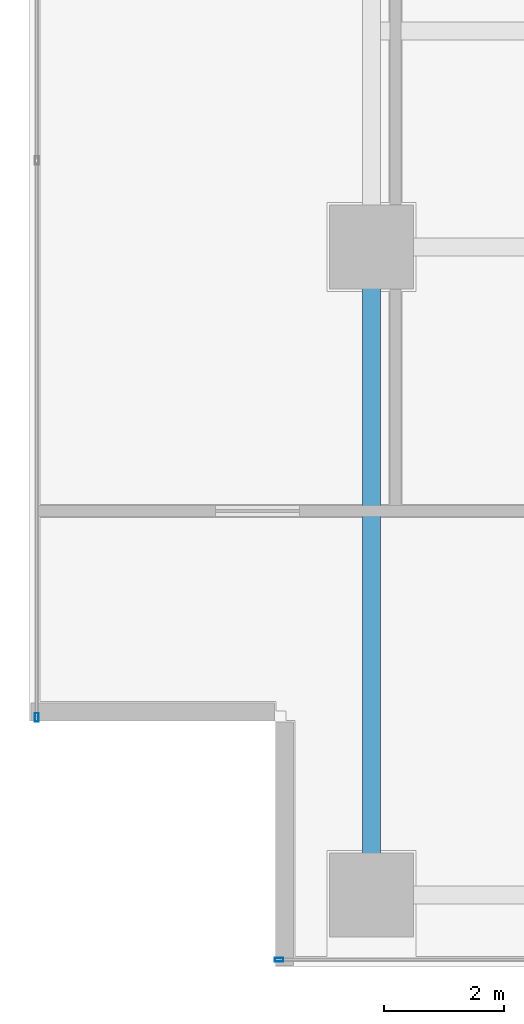
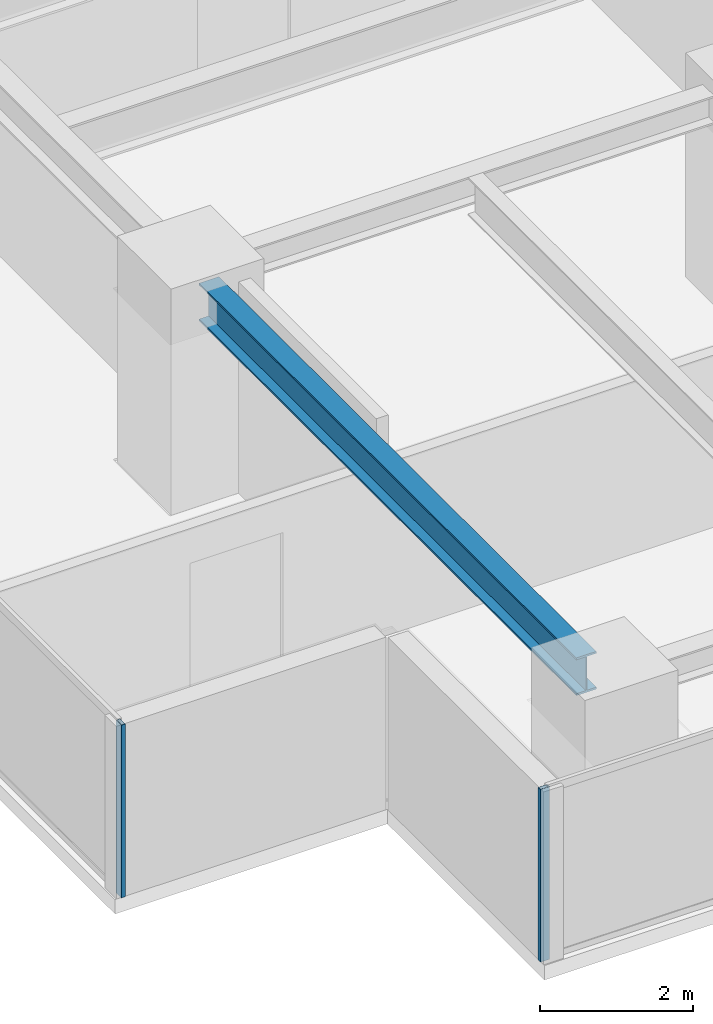
# One storey, part 2 of 26: 2 members, 1 beam, 2 elements without a shape of their own.
"""IFC4 building model written with IfcOpenShell, lengths in metres."""

from ifc_helpers import new_model, si_unit, direction, frame, origin, origin_2d, place, context, subcontext, project, spatial, hollow_rectangle, i_section, extrude, source, transform, mapped, material, layer, layer_set, material_profile, profile_set, type_object, element, aggregate, save


model = new_model("IFC4")

# Units and contexts
model_context = context("Model", 3, precision=1e-05, world=origin(), true_north=direction((0.0, 1.0)))
body_context = subcontext(model_context, "Body", "Model", "MODEL_VIEW")
ifc_project = project(units=[si_unit("LENGTHUNIT", "METRE"), si_unit("AREAUNIT", "SQUARE_METRE"), si_unit("VOLUMEUNIT", "CUBIC_METRE"), si_unit("PLANEANGLEUNIT", "RADIAN"), si_unit("MASSUNIT", "GRAM", prefix="KILO")], contexts=[model_context])

# Site, building, storey
site_placement = place(None, origin())
site = spatial("IfcSite", under=ifc_project, at=site_placement, CompositionType="ELEMENT")
building_placement = place(site_placement, origin())
building = spatial("IfcBuilding", under=site, at=building_placement, Name="Sumidabori Civic Tower", CompositionType="ELEMENT")
storey_placement = place(building_placement, frame((0.0, 0.0, 264.800048828125)))
storey = spatial("IfcBuildingStorey", under=building, at=storey_placement, Name="L69", CompositionType="ELEMENT", Elevation=264.800048828125)

# Beam
ifc_material_1 = material(Name="Steel SN490", Category="steel")
ifc_material_profile_1 = material_profile(ifc_material_1, i_section(OverallWidth=0.300048828125, OverallDepth=0.60009765625, WebThickness=0.015380859375, FlangeThickness=0.030029296875, at=origin_2d()), Name="HE 600 B")
ifc_profile_set_1 = profile_set([ifc_material_profile_1], Name="Steel SN490")
beam_type = type_object("IfcBeamType", Name="BM-GIRD-600", PredefinedType="BEAM", material=ifc_profile_set_1)
shared_shape_1 = source(origin(), body_context, "Body", "SweptSolid", [
    extrude(i_section(OverallWidth=0.300048828125, OverallDepth=0.60009765625, WebThickness=0.015380859375, FlangeThickness=0.030029296875, at=origin_2d()), origin(), (0.0, 0.0, 1.0), 9.840087890625),
])
beam_placement = place(storey_placement, frame((-16.800048828125, -10.320068359375, 3.070068359375), z_axis=(0.0, 1.0, 0.0), x_axis=(-1.0, 0.0, 0.0)))
element("IfcBeam", 1, at=beam_placement, inside=storey, type_object=beam_type, Name="Primary Girder L69 GY-09", PredefinedType="BEAM", context=body_context, shape_type="MappedRepresentation", body=[
    mapped(shared_shape_1, transform((0.0, 0.0, 0.0), x_axis=(1.0, 0.0, 0.0), y_axis=(0.0, 1.0, 0.0), z_axis=(0.0, 0.0, 1.0), scale=1.0)),
])

# Curtain wall, member
ifc_material_2 = material(Name="Anodised Bronze Aluminium AW-6063-T6", Category="aluminium")
ifc_layer = layer(ifc_material_2, 0.179931640625, Name="Anodised Bronze Aluminium AW-6063-T6")
ifc_layer_set = layer_set([ifc_layer], Name="Anodised Bronze Aluminium AW-6063-T6")
curtain_wall_type = type_object("IfcCurtainWallType", Name="CW-SYS-5", PredefinedType="NOTDEFINED", material=ifc_layer_set)
curtain_wall_1_placement = place(storey_placement, origin())
curtain_wall_1 = element("IfcCurtainWall", 2, at=curtain_wall_1_placement, inside=storey, type_object=curtain_wall_type, Name="Curtain Wall CW:L69:R01", PredefinedType="NOTDEFINED")
ifc_material_profile_2 = material_profile(ifc_material_2, hollow_rectangle(XDim=0.06005859375, YDim=0.139892578125, WallThickness=0.0048828125, at=origin_2d()), Name="ALU MULLION 140x60")
ifc_profile_set_2 = profile_set([ifc_material_profile_2], Name="Anodised Bronze Aluminium AW-6063-T6")
member_type = type_object("IfcMemberType", Name="CW-MUL-140", PredefinedType="MULLION", material=ifc_profile_set_2)
shared_shape_2 = source(origin(), body_context, "Body", "SweptSolid", [
    extrude(hollow_rectangle(XDim=0.06005859375, YDim=0.139892578125, WallThickness=0.0048828125, at=origin_2d()), origin(), (0.0, 0.0, 1.0), 2.75),
])
member_1_placement = place(storey_placement, frame((-18.340087890625, -11.8798828125, 0.0), z_axis=(0.0, 0.0, 1.0), x_axis=(0.0, 1.0, 0.0)))
member_1 = element("IfcMember", 3, at=member_1_placement, type_object=member_type, Name="CW-5 mullion 1", PredefinedType="MULLION", context=body_context, shape_type="MappedRepresentation", body=[
    mapped(shared_shape_2, transform((0.0, 0.0, 0.0), x_axis=(1.0, 0.0, 0.0), y_axis=(0.0, 1.0, 0.0), z_axis=(0.0, 0.0, 1.0), scale=1.0)),
])
aggregate(curtain_wall_1, [member_1])

curtain_wall_2_placement = place(storey_placement, origin())
curtain_wall_2 = element("IfcCurtainWall", 4, at=curtain_wall_2_placement, inside=storey, type_object=curtain_wall_type, Name="Curtain Wall CW:L69:R10", PredefinedType="NOTDEFINED")
member_2_placement = place(storey_placement, frame((-22.3798828125, -7.840087890625, 0.0), z_axis=(0.0, 0.0, 1.0), x_axis=(1.0, 0.0, 0.0)))
member_2 = element("IfcMember", 5, at=member_2_placement, type_object=member_type, Name="CW-5 mullion 4", PredefinedType="MULLION", context=body_context, shape_type="MappedRepresentation", body=[
    mapped(shared_shape_2, transform((0.0, 0.0, 0.0), x_axis=(1.0, 0.0, 0.0), y_axis=(0.0, 1.0, 0.0), z_axis=(0.0, 0.0, 1.0), scale=1.0)),
])
aggregate(curtain_wall_2, [member_2])

save(model, "model.ifc")
